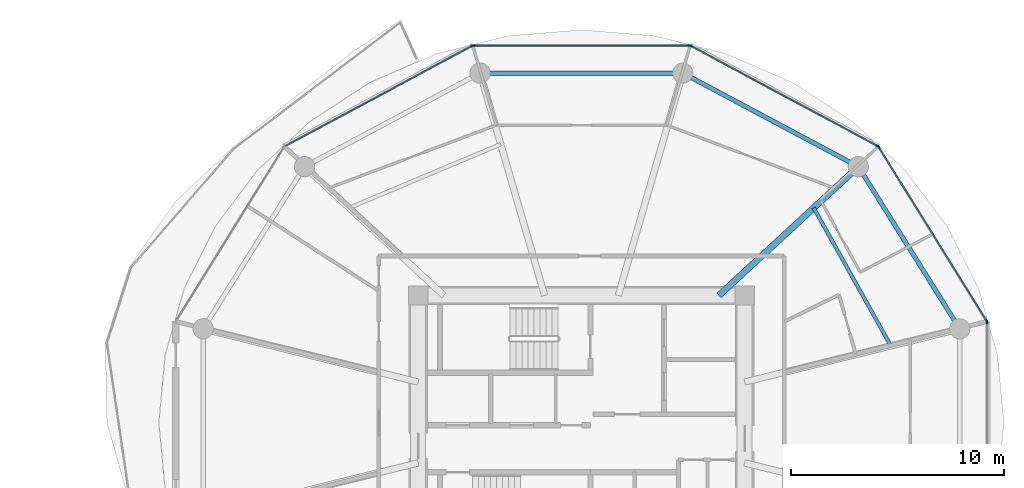
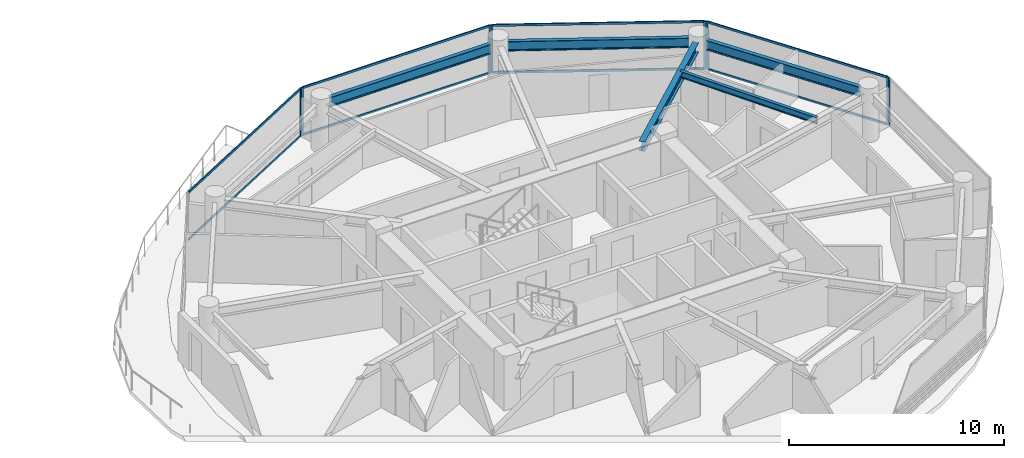
# One storey, part 13 of 26: 16 members, 5 beams, 5 elements without a shape of their own.
"""IFC4 building model written with IfcOpenShell, lengths in metres."""

import ifcopenshell
import ifcopenshell.guid

model = None  # the IFC model being written
_history = None  # IfcOwnerHistory: only IFC2X3 demands one
_inside = {}  # id of a spatial element -> (the spatial element, [elements in it])
_under = {}  # id of a project, library or spatial element -> (it, [spatial elements below it])
_declared = {}  # id of a project -> (the project, [libraries it declares])
_typed = {}  # id of a type object -> (the type object, [elements of that type])
_made_of = {}  # id of a material, layer set ... -> (it, [elements and type objects made of it])


def new_model(schema):
    """Start an empty IFC model of exactly this schema.

    Asked for "IFC4X3", IfcOpenShell would pick the latest addendum, in which some entities
    have other attributes; the version numbers below select the first issue.
    IFC2X3 requires an IfcOwnerHistory on every rooted entity: one is made here for all.
    """
    global model, _history
    if schema == "IFC4X3":
        model = ifcopenshell.file(schema_version=(4, 3, 0, 0))
    else:
        model = ifcopenshell.file(schema=schema)
    _inside.clear()
    _under.clear()
    _declared.clear()
    _typed.clear()
    _made_of.clear()
    _history = None
    if model.schema == "IFC2X3":
        org = make("IfcOrganization", Name="unknown")
        user = make(
            "IfcPersonAndOrganization",
            ThePerson=make("IfcPerson", FamilyName="unknown"),
            TheOrganization=org,
        )
        app = make(
            "IfcApplication",
            ApplicationDeveloper=org,
            Version="unknown",
            ApplicationFullName="unknown",
            ApplicationIdentifier="unknown",
        )
        _history = make(
            "IfcOwnerHistory",
            OwningUser=user,
            OwningApplication=app,
            ChangeAction="ADDED",
            CreationDate=0,
        )
    return model


def make(cls, **values):
    """One entity of the class cls with the attributes given. An attribute that is None is left unset."""
    return model.create_entity(
        cls, **{name: value for name, value in values.items() if value is not None}
    )


def rooted(cls, **values):
    """An entity with a GlobalId (a new one), such as an element, a storey or a relation."""
    return make(cls, GlobalId=ifcopenshell.guid.new(), OwnerHistory=_history, **values)


def si_unit(unit_type, name, prefix=None):
    """IfcSIUnit, for example si_unit("LENGTHUNIT", "METRE", prefix="MILLI")."""
    return make("IfcSIUnit", UnitType=unit_type, Prefix=prefix, Name=name)


def assignment(units):
    """IfcUnitAssignment: the units of a project."""
    return None if units is None else make("IfcUnitAssignment", Units=units)


def point(xyz):
    """IfcCartesianPoint."""
    return None if xyz is None else make("IfcCartesianPoint", Coordinates=xyz)


def direction(xyz):
    """IfcDirection."""
    return None if xyz is None else make("IfcDirection", DirectionRatios=xyz)


def frame(location, z_axis=None, x_axis=None):
    """IfcAxis2Placement3D, a coordinate frame: its origin and axes. An axis left out is left unset."""
    return make(
        "IfcAxis2Placement3D",
        Location=point(location),
        Axis=direction(z_axis),
        RefDirection=direction(x_axis),
    )


def frame_2d(location, x_axis=None):
    """IfcAxis2Placement2D, a coordinate frame in the plane: its origin and x axis."""
    return make(
        "IfcAxis2Placement2D", Location=point(location), RefDirection=direction(x_axis)
    )


def origin():
    """The frame at (0, 0, 0) with its axes left unset."""
    return frame((0.0, 0.0, 0.0))


def origin_2d():
    """The frame at (0, 0) in the plane with its x axis left unset."""
    return frame_2d((0.0, 0.0))


def place(relative_to, where):
    """IfcLocalPlacement: puts the frame where relative to a parent placement (None: the world)."""
    return make(
        "IfcLocalPlacement", PlacementRelTo=relative_to, RelativePlacement=where
    )


def context(
    kind, dimensions, precision=None, world=None, true_north=None, identifier=None
):
    """IfcGeometricRepresentationContext, for example the 3D "Model" context."""
    return make(
        "IfcGeometricRepresentationContext",
        ContextIdentifier=identifier,
        ContextType=kind,
        CoordinateSpaceDimension=dimensions,
        Precision=precision,
        WorldCoordinateSystem=world,
        TrueNorth=true_north,
    )


def subcontext(parent, identifier, kind, view, scale=None):
    """IfcGeometricRepresentationSubContext, for example "Body" below "Model"."""
    return make(
        "IfcGeometricRepresentationSubContext",
        ContextIdentifier=identifier,
        ContextType=kind,
        ParentContext=parent,
        TargetScale=scale,
        TargetView=view,
    )


def project(units=None, contexts=None):
    """IfcProject with its units and contexts."""
    return rooted(
        "IfcProject",
        Name="project",
        RepresentationContexts=contexts,
        UnitsInContext=assignment(units),
    )


def spatial(cls, under=None, at=None, **own):
    """A site, building, storey or space (cls), placed at a placement, below another one or the project."""
    s = rooted(cls, ObjectPlacement=at, **own)
    if under is not None:
        _under.setdefault(under.id(), (under, []))[1].append(s)
    return s


def profile(cls, at=None, kind="AREA", **sizes):
    """A parametric profile (cls). Its sizes go by their IFC names, for example OverallWidth=200.0."""
    return make(cls, ProfileType=kind, Position=at, **sizes)


def rectangle(**sizes):
    """IfcRectangleProfileDef."""
    return profile("IfcRectangleProfileDef", **sizes)


def i_section(**sizes):
    """IfcIShapeProfileDef."""
    return profile("IfcIShapeProfileDef", **sizes)


def extrude(swept, where, along, depth):
    """IfcExtrudedAreaSolid: the profile swept, set in the frame where, extruded along a direction by depth."""
    return make(
        "IfcExtrudedAreaSolid",
        SweptArea=swept,
        Position=where,
        ExtrudedDirection=direction(along),
        Depth=depth,
    )


def shape(context_of_items, identifier, shape_type, items):
    """IfcShapeRepresentation: the items that make up one representation, for example the "Body"."""
    return make(
        "IfcShapeRepresentation",
        ContextOfItems=context_of_items,
        RepresentationIdentifier=identifier,
        RepresentationType=shape_type,
        Items=items,
    )


def source(mapping_origin, context_of_items, identifier, shape_type, items):
    """IfcRepresentationMap: a shape defined once, which mapped items show again and again."""
    return make(
        "IfcRepresentationMap",
        MappingOrigin=mapping_origin,
        MappedRepresentation=shape(context_of_items, identifier, shape_type, items),
    )


def transform(
    local_origin,
    x_axis=None,
    y_axis=None,
    z_axis=None,
    scale=None,
    scale2=None,
    scale3=None,
    uniform=True,
):
    """IfcCartesianTransformationOperator3D, or its non-uniform kind. x_axis, y_axis, z_axis: its Axis1, 2, 3."""
    if uniform:
        return make(
            "IfcCartesianTransformationOperator3D",
            Axis1=direction(x_axis),
            Axis2=direction(y_axis),
            LocalOrigin=point(local_origin),
            Scale=scale,
            Axis3=direction(z_axis),
        )
    return make(
        "IfcCartesianTransformationOperator3DnonUniform",
        Axis1=direction(x_axis),
        Axis2=direction(y_axis),
        LocalOrigin=point(local_origin),
        Scale=scale,
        Axis3=direction(z_axis),
        Scale2=scale2,
        Scale3=scale3,
    )


def mapped(mapping_source, mapping_target):
    """IfcMappedItem: shows the shape of a source again, moved by a transform."""
    return make(
        "IfcMappedItem", MappingSource=mapping_source, MappingTarget=mapping_target
    )


def material(Name=None, Category=None):
    """IfcMaterial."""
    return make("IfcMaterial", Name=Name, Category=Category)


def layer(
    of_material, thickness, ventilated=None, Name=None, Category=None, Priority=None
):
    """IfcMaterialLayer: one layer of a wall or slab, of a material (None: an air gap)."""
    return make(
        "IfcMaterialLayer",
        Material=of_material,
        LayerThickness=thickness,
        IsVentilated=ventilated,
        Name=Name,
        Category=Category,
        Priority=Priority,
    )


def layer_set(layers, Name=None):
    """IfcMaterialLayerSet."""
    return make("IfcMaterialLayerSet", MaterialLayers=layers, LayerSetName=Name)


def material_profile(
    of_material, cross_section, Name=None, Category=None, Priority=None
):
    """IfcMaterialProfile: a cross section and its material."""
    return make(
        "IfcMaterialProfile",
        Name=Name,
        Material=of_material,
        Profile=cross_section,
        Priority=Priority,
        Category=Category,
    )


def profile_set(profiles, Name=None, composite=None):
    """IfcMaterialProfileSet."""
    return make(
        "IfcMaterialProfileSet",
        Name=Name,
        MaterialProfiles=profiles,
        CompositeProfile=composite,
    )


def made_of(thing, what):
    """Note that an element or type object is made of a material, layer set ...; save() writes the relation."""
    if what is not None:
        _made_of.setdefault(what.id(), (what, []))[1].append(thing)
    return thing


def type_object(cls, material=None, **own):
    """A type object (cls), such as IfcWallType, which elements share."""
    return made_of(rooted(cls, **own), material)


def type_shapes(of_type, sources):
    """Give a type object the sources (RepresentationMaps) that its elements show as mapped items."""
    of_type.RepresentationMaps = sources


def element(
    cls,
    number,
    at=None,
    inside=None,
    cuts=None,
    type_object=None,
    material=None,
    context=None,
    identifier="Body",
    shape_type=None,
    held_by="IfcProductDefinitionShape",
    body=None,
    shapes=None,
    **own,
):
    """One element of the class cls, such as IfcWall. Its Tag is "e" and its number.

    at: its placement. inside: the storey or other place that contains it. cuts: it is an
    opening in that element (IfcRelVoidsElement). A single representation is given by context,
    identifier, shape_type and body (its items); several are given by shapes. held_by: the class
    of the entity that holds the representations. save() writes the other relations.
    """
    e = rooted(cls, Tag="e%d" % number, ObjectPlacement=at, **own)
    if body is not None:
        shapes = [shape(context, identifier, shape_type, body)]
    if shapes is not None:
        e.Representation = make(held_by, Representations=shapes)
    if inside is not None:
        _inside.setdefault(inside.id(), (inside, []))[1].append(e)
    if cuts is not None:
        rooted(
            "IfcRelVoidsElement", RelatingBuildingElement=cuts, RelatedOpeningElement=e
        )
    if type_object is not None:
        _typed.setdefault(type_object.id(), (type_object, []))[1].append(e)
    return made_of(e, material)


def aggregate(whole, parts):
    """IfcRelAggregates: a whole, such as a stair, and the parts it consists of."""
    return rooted("IfcRelAggregates", RelatingObject=whole, RelatedObjects=parts)


def save(model, path):
    """Write the relations noted so far, then the file.

    IfcRelAggregates (storeys below a building ...), IfcRelContainedInSpatialStructure (elements
    in a storey), IfcRelDefinesByType, IfcRelAssociatesMaterial and IfcRelDeclares: one each for
    every whole, place, type object, material and project.
    """
    for whole, parts in _under.values():
        aggregate(whole, parts)
    for where, things in _inside.values():
        rooted(
            "IfcRelContainedInSpatialStructure",
            RelatedElements=things,
            RelatingStructure=where,
        )
    for kind, things in _typed.values():
        rooted("IfcRelDefinesByType", RelatedObjects=things, RelatingType=kind)
    for what, things in _made_of.values():
        rooted("IfcRelAssociatesMaterial", RelatedObjects=things, RelatingMaterial=what)
    for by, libraries in _declared.values():
        rooted("IfcRelDeclares", RelatingContext=by, RelatedDefinitions=libraries)
    model.write(path)


model = new_model("IFC4")

# Units and contexts
model_context = context("Model", 3, precision=1e-05, world=origin(), true_north=direction((0.0, 1.0)))
body_context = subcontext(model_context, "Body", "Model", "MODEL_VIEW")
ifc_project = project(units=[si_unit("LENGTHUNIT", "METRE"), si_unit("AREAUNIT", "SQUARE_METRE"), si_unit("VOLUMEUNIT", "CUBIC_METRE"), si_unit("PLANEANGLEUNIT", "RADIAN"), si_unit("MASSUNIT", "GRAM", prefix="KILO")], contexts=[model_context])

# Site, building, storey
site_placement = place(None, origin())
site = spatial("IfcSite", under=ifc_project, at=site_placement, CompositionType="ELEMENT")
building_placement = place(site_placement, origin())
building = spatial("IfcBuilding", under=site, at=building_placement, Name="Norrkilde Senior Care Towers", CompositionType="ELEMENT")
storey_placement = place(building_placement, frame((0.0, 0.0, 70.39990234375)))
storey = spatial("IfcBuildingStorey", under=building, at=storey_placement, Name="L21", CompositionType="ELEMENT", Elevation=70.39990234375)

# Beams
ifc_material_1 = material(Name="Steel S355", Category="steel")
ifc_material_profile_1 = material_profile(ifc_material_1, i_section(OverallWidth=0.2099609375, OverallDepth=0.550048828125, WebThickness=0.010986328125, FlangeThickness=0.01708984375, FilletRadius=0.02392578125, at=origin_2d()), Name="IPE 550")
ifc_profile_set_1 = profile_set([ifc_material_profile_1], Name="Steel S355")
beam_type_1 = type_object("IfcBeamType", Name="Perimeter Ring Spandrel Z1 IPE550", PredefinedType="SPANDREL", material=ifc_profile_set_1)
shared_shape_1 = source(origin(), body_context, "Body", "SweptSolid", [
    extrude(i_section(OverallWidth=0.2099609375, OverallDepth=0.550048828125, WebThickness=0.010986328125, FlangeThickness=0.01708984375, FilletRadius=0.02392578125, at=origin_2d()), origin(), (0.0, 0.0, 1.0), 8.090576171875),
])
beam_1_placement = place(storey_placement, frame((45.494140625, 4.755859375, 2.455078125), z_axis=(-0.530004364821, 0.84799491347, 0.0), x_axis=(-0.84799491347, -0.530004364821, 0.0)))
element("IfcBeam", 1, at=beam_1_placement, inside=storey, type_object=beam_type_1, Name="L21 Drum E Perimeter Spandrel 01", PredefinedType="SPANDREL", context=body_context, shape_type="MappedRepresentation", body=[
    mapped(shared_shape_1, transform((0.0, 0.0, 0.0), x_axis=(1.0, 0.0, 0.0), y_axis=(0.0, 1.0, 0.0), z_axis=(0.0, 0.0, 1.0), scale=1.0)),
])
shared_shape_2 = source(origin(), body_context, "Body", "SweptSolid", [
    extrude(i_section(OverallWidth=0.2099609375, OverallDepth=0.550048828125, WebThickness=0.010986328125, FlangeThickness=0.01708984375, FilletRadius=0.02392578125, at=origin_2d()), origin(), (0.0, 0.0, 1.0), 8.452880859375),
])
beam_2_placement = place(storey_placement, frame((40.591552734375, 12.190185546875, 2.455078125), z_axis=(-0.882368931134, 0.470558252898, 0.0), x_axis=(-0.470558252898, -0.882368931134, 0.0)))
element("IfcBeam", 2, at=beam_2_placement, inside=storey, type_object=beam_type_1, Name="L21 Drum E Perimeter Spandrel 02", PredefinedType="SPANDREL", context=body_context, shape_type="MappedRepresentation", body=[
    mapped(shared_shape_2, transform((0.0, 0.0, 0.0), x_axis=(1.0, 0.0, 0.0), y_axis=(0.0, 1.0, 0.0), z_axis=(0.0, 0.0, 1.0), scale=1.0)),
])
ifc_material_profile_2 = material_profile(ifc_material_1, i_section(OverallWidth=0.300048828125, OverallDepth=0.550048828125, WebThickness=0.014892578125, FlangeThickness=0.029052734375, FilletRadius=0.027099609375, at=origin_2d()), Name="HEB 550")
ifc_profile_set_2 = profile_set([ifc_material_profile_2], Name="Steel S355")
beam_type_2 = type_object("IfcBeamType", Name="Radial Floor Beam Z1 HEB550", PredefinedType="BEAM", material=ifc_profile_set_2)
shared_shape_3 = source(origin(), body_context, "Body", "SweptSolid", [
    extrude(i_section(OverallWidth=0.300048828125, OverallDepth=0.550048828125, WebThickness=0.014892578125, FlangeThickness=0.029052734375, FilletRadius=0.027099609375, at=origin_2d()), origin(), (0.0, 0.0, 1.0), 8.459716796875),
])
type_shapes(beam_type_2, [shared_shape_3])
beam_3_placement = place(storey_placement, frame((34.44140625, 5.949951171875, 2.455078125), z_axis=(0.734573269108, 0.678529374686, 0.0), x_axis=(-0.678529374686, 0.734573269108, 0.0)))
element("IfcBeam", 3, at=beam_3_placement, inside=storey, type_object=beam_type_2, Name="L21 Drum E Radial Floor Beam 02", PredefinedType="BEAM", context=body_context, shape_type="MappedRepresentation", body=[
    mapped(shared_shape_3, transform((0.0, 0.0, 0.0), x_axis=(1.0, 0.0, 0.0), y_axis=(0.0, 1.0, 0.0), z_axis=(0.0, 0.0, 1.0), scale=1.0)),
])
shared_shape_4 = source(origin(), body_context, "Body", "SweptSolid", [
    extrude(i_section(OverallWidth=0.2099609375, OverallDepth=0.550048828125, WebThickness=0.010986328125, FlangeThickness=0.01708984375, FilletRadius=0.02392578125, at=origin_2d()), origin(), (0.0, 0.0, 1.0), 8.62841796875),
])
type_shapes(beam_type_1, [shared_shape_1, shared_shape_2, shared_shape_4])
beam_4_placement = place(storey_placement, frame((32.314208984375, 16.37255859375, 2.455078125), z_axis=(-1.0, 0.0, 0.0), x_axis=(0.0, -1.0, 0.0)))
element("IfcBeam", 4, at=beam_4_placement, inside=storey, type_object=beam_type_1, Name="L21 Drum E Perimeter Spandrel 03", PredefinedType="SPANDREL", context=body_context, shape_type="MappedRepresentation", body=[
    mapped(shared_shape_4, transform((0.0, 0.0, 0.0), x_axis=(1.0, 0.0, 0.0), y_axis=(0.0, 1.0, 0.0), z_axis=(0.0, 0.0, 1.0), scale=1.0)),
])
ifc_material_profile_3 = material_profile(ifc_material_1, i_section(OverallWidth=0.169921875, OverallDepth=0.360107421875, WebThickness=0.008056640625, FlangeThickness=0.0126953125, FilletRadius=0.01806640625, at=origin_2d()), Name="IPE 360")
ifc_profile_set_3 = profile_set([ifc_material_profile_3], Name="Steel S355")
beam_type_3 = type_object("IfcBeamType", Name="Secondary Floor Joist IPE360", PredefinedType="JOIST", material=ifc_profile_set_3)
shared_shape_5 = source(origin(), body_context, "Body", "SweptSolid", [
    extrude(i_section(OverallWidth=0.169921875, OverallDepth=0.360107421875, WebThickness=0.008056640625, FlangeThickness=0.0126953125, FilletRadius=0.01806640625, at=origin_2d()), origin(), (0.0, 0.0, 1.0), 7.40771484375),
])
type_shapes(beam_type_3, [shared_shape_5])
beam_5_placement = place(storey_placement, frame((42.500732421875, 3.589111328125, 2.550048828125), z_axis=(-0.488167754092, 0.872749817453, 0.0), x_axis=(-0.872749817453, -0.488167754092, 0.0)))
element("IfcBeam", 5, at=beam_5_placement, inside=storey, type_object=beam_type_3, Name="L21 Drum E Secondary Floor Joist 1", PredefinedType="JOIST", context=body_context, shape_type="MappedRepresentation", body=[
    mapped(shared_shape_5, transform((0.0, 0.0, 0.0), x_axis=(1.0, 0.0, 0.0), y_axis=(0.0, 1.0, 0.0), z_axis=(0.0, 0.0, 1.0), scale=1.0)),
])

# Curtain wall, members
ifc_material_2 = material(Name="Triple Low-E Insulated Glazing", Category="glass")
ifc_layer = layer(ifc_material_2, 0.199951171875)
ifc_layer_set = layer_set([ifc_layer], Name="Triple Low-E Insulated Glazing")
curtain_wall_type = type_object("IfcCurtainWallType", Name="CW2 Zone 1 Memory Care Curtain Wall", PredefinedType="NOTDEFINED", material=ifc_layer_set)
curtain_wall_1_placement = place(storey_placement, origin())
curtain_wall_1 = element("IfcCurtainWall", 6, at=curtain_wall_1_placement, inside=storey, type_object=curtain_wall_type, Name="L21 Drum E Curtain Wall 00", PredefinedType="NOTDEFINED")
ifc_material_3 = material(Name="Anodised Aluminium", Category="aluminium")
ifc_material_profile_4 = material_profile(ifc_material_3, rectangle(XDim=0.06005859375, YDim=0.1201171875, at=origin_2d()), Name="ALU TRAN 60x120")
ifc_profile_set_4 = profile_set([ifc_material_profile_4], Name="Anodised Aluminium")
member_type_1 = type_object("IfcMemberType", Name="Curtain Wall Transom Typical 60x120", PredefinedType="USERDEFINED", material=ifc_profile_set_4)
shared_shape_6 = source(origin(), body_context, "Body", "SweptSolid", [
    extrude(rectangle(XDim=0.06005859375, YDim=0.1201171875, at=origin_2d()), origin(), (0.0, 0.0, 1.0), 9.5185546875),
])
member_1_placement = place(storey_placement, frame((41.9501953125, 12.87060546875, 0.030029296875), z_axis=(0.527901620669, -0.849305527413, 0.0), x_axis=(0.849305527413, 0.527901620669, 0.0)))
member_1 = element("IfcMember", 7, at=member_1_placement, type_object=member_type_1, Name="CW-2 transom 1.1", ObjectType="TRANSOM", PredefinedType="USERDEFINED", context=body_context, shape_type="MappedRepresentation", body=[
    mapped(shared_shape_6, transform((0.0, 0.0, 0.0), x_axis=(1.0, 0.0, 0.0), y_axis=(0.0, 1.0, 0.0), z_axis=(0.0, 0.0, 1.0), scale=1.0)),
])
member_2_placement = place(storey_placement, frame((41.9501953125, 12.87060546875, 2.7001953125), z_axis=(0.527901620669, -0.849305527413, 0.0), x_axis=(0.849305527413, 0.527901620669, 0.0)))
member_2 = element("IfcMember", 8, at=member_2_placement, type_object=member_type_1, Name="CW-2 transom 1.2", ObjectType="TRANSOM", PredefinedType="USERDEFINED", context=body_context, shape_type="MappedRepresentation", body=[
    mapped(shared_shape_6, transform((0.0, 0.0, 0.0), x_axis=(1.0, 0.0, 0.0), y_axis=(0.0, 1.0, 0.0), z_axis=(0.0, 0.0, 1.0), scale=1.0)),
])

curtain_wall_2_placement = place(storey_placement, origin())
curtain_wall_2 = element("IfcCurtainWall", 9, at=curtain_wall_2_placement, inside=storey, type_object=curtain_wall_type, Name="L21 Drum E Curtain Wall 01", PredefinedType="NOTDEFINED")
shared_shape_7 = source(origin(), body_context, "Body", "SweptSolid", [
    extrude(rectangle(XDim=0.06005859375, YDim=0.1201171875, at=origin_2d()), origin(), (0.0, 0.0, 1.0), 9.880859375),
])
member_3_placement = place(storey_placement, frame((33.15087890625, 17.62646484375, 0.030029296875), z_axis=(0.881267204043, -0.47261836092, 0.0), x_axis=(0.47261836092, 0.881267204043, 0.0)))
member_3 = element("IfcMember", 10, at=member_3_placement, type_object=member_type_1, Name="CW-2 transom 1.1", ObjectType="TRANSOM", PredefinedType="USERDEFINED", context=body_context, shape_type="MappedRepresentation", body=[
    mapped(shared_shape_7, transform((0.0, 0.0, 0.0), x_axis=(1.0, 0.0, 0.0), y_axis=(0.0, 1.0, 0.0), z_axis=(0.0, 0.0, 1.0), scale=1.0)),
])
member_4_placement = place(storey_placement, frame((33.15087890625, 17.62646484375, 2.7001953125), z_axis=(0.881267204043, -0.47261836092, 0.0), x_axis=(0.47261836092, 0.881267204043, 0.0)))
member_4 = element("IfcMember", 11, at=member_4_placement, type_object=member_type_1, Name="CW-2 transom 1.2", ObjectType="TRANSOM", PredefinedType="USERDEFINED", context=body_context, shape_type="MappedRepresentation", body=[
    mapped(shared_shape_7, transform((0.0, 0.0, 0.0), x_axis=(1.0, 0.0, 0.0), y_axis=(0.0, 1.0, 0.0), z_axis=(0.0, 0.0, 1.0), scale=1.0)),
])

curtain_wall_3_placement = place(storey_placement, origin())
curtain_wall_3 = element("IfcCurtainWall", 12, at=curtain_wall_3_placement, inside=storey, type_object=curtain_wall_type, Name="L21 Drum E Curtain Wall 03", PredefinedType="NOTDEFINED")
member_5_placement = place(storey_placement, frame((14.141357421875, 12.95654296875, 0.030029296875), z_axis=(0.881267204043, 0.47261836092, 0.0), x_axis=(-0.47261836092, 0.881267204043, 0.0)))
member_5 = element("IfcMember", 13, at=member_5_placement, type_object=member_type_1, Name="CW-2 transom 1.1", ObjectType="TRANSOM", PredefinedType="USERDEFINED", context=body_context, shape_type="MappedRepresentation", body=[
    mapped(shared_shape_7, transform((0.0, 0.0, 0.0), x_axis=(1.0, 0.0, 0.0), y_axis=(0.0, 1.0, 0.0), z_axis=(0.0, 0.0, 1.0), scale=1.0)),
])
member_6_placement = place(storey_placement, frame((14.141357421875, 12.95654296875, 2.7001953125), z_axis=(0.881267204043, 0.47261836092, 0.0), x_axis=(-0.47261836092, 0.881267204043, 0.0)))
member_6 = element("IfcMember", 14, at=member_6_placement, type_object=member_type_1, Name="CW-2 transom 1.2", ObjectType="TRANSOM", PredefinedType="USERDEFINED", context=body_context, shape_type="MappedRepresentation", body=[
    mapped(shared_shape_7, transform((0.0, 0.0, 0.0), x_axis=(1.0, 0.0, 0.0), y_axis=(0.0, 1.0, 0.0), z_axis=(0.0, 0.0, 1.0), scale=1.0)),
])

curtain_wall_4_placement = place(storey_placement, origin())
curtain_wall_4 = element("IfcCurtainWall", 15, at=curtain_wall_4_placement, inside=storey, type_object=curtain_wall_type, Name="L21 Drum E Curtain Wall 02", PredefinedType="NOTDEFINED")
shared_shape_8 = source(origin(), body_context, "Body", "SweptSolid", [
    extrude(rectangle(XDim=0.06005859375, YDim=0.1201171875, at=origin_2d()), origin(), (0.0, 0.0, 1.0), 10.05712890625),
])
type_shapes(member_type_1, [shared_shape_6, shared_shape_7, shared_shape_8])
member_7_placement = place(storey_placement, frame((22.971435546875, 17.6572265625, 0.030029296875), z_axis=(1.0, 0.0, 0.0), x_axis=(0.0, 1.0, 0.0)))
member_7 = element("IfcMember", 16, at=member_7_placement, type_object=member_type_1, Name="CW-2 transom 1.1", ObjectType="TRANSOM", PredefinedType="USERDEFINED", context=body_context, shape_type="MappedRepresentation", body=[
    mapped(shared_shape_8, transform((0.0, 0.0, 0.0), x_axis=(1.0, 0.0, 0.0), y_axis=(0.0, 1.0, 0.0), z_axis=(0.0, 0.0, 1.0), scale=1.0)),
])
member_8_placement = place(storey_placement, frame((22.971435546875, 17.6572265625, 2.7001953125), z_axis=(1.0, 0.0, 0.0), x_axis=(0.0, 1.0, 0.0)))
member_8 = element("IfcMember", 17, at=member_8_placement, type_object=member_type_1, Name="CW-2 transom 1.2", ObjectType="TRANSOM", PredefinedType="USERDEFINED", context=body_context, shape_type="MappedRepresentation", body=[
    mapped(shared_shape_8, transform((0.0, 0.0, 0.0), x_axis=(1.0, 0.0, 0.0), y_axis=(0.0, 1.0, 0.0), z_axis=(0.0, 0.0, 1.0), scale=1.0)),
])

# Member
ifc_material_profile_5 = material_profile(ifc_material_3, rectangle(XDim=0.06494140625, YDim=0.159912109375, at=origin_2d()), Name="ALU MULL 65x160")
ifc_profile_set_5 = profile_set([ifc_material_profile_5], Name="Anodised Aluminium")
member_type_2 = type_object("IfcMemberType", Name="Curtain Wall Mullion Z1-Z2 65x160", PredefinedType="MULLION", material=ifc_profile_set_5)
shared_shape_9 = source(origin(), body_context, "Body", "SweptSolid", [
    extrude(rectangle(XDim=0.06494140625, YDim=0.159912109375, at=origin_2d()), origin(), (0.0, 0.0, 1.0), 2.72998046875),
])
type_shapes(member_type_2, [shared_shape_9])
member_9_placement = place(storey_placement, frame((41.93310546875, 12.898193359375, 0.0), z_axis=(0.0, 0.0, 1.0), x_axis=(0.849305943117, 0.527900951871, 0.0)))
member_9 = element("IfcMember", 18, at=member_9_placement, type_object=member_type_2, Name="CW-2 mullion 1", PredefinedType="MULLION", context=body_context, shape_type="MappedRepresentation", body=[
    mapped(shared_shape_9, transform((0.0, 0.0, 0.0), x_axis=(1.0, 0.0, 0.0), y_axis=(0.0, 1.0, 0.0), z_axis=(0.0, 0.0, 1.0), scale=1.0)),
])

member_10_placement = place(storey_placement, frame((46.9921875, 4.7587890625, 0.0), z_axis=(0.0, 0.0, 1.0), x_axis=(0.849305943117, 0.527900951871, 0.0)))
member_10 = element("IfcMember", 19, at=member_10_placement, type_object=member_type_2, Name="CW-2 mullion 2", PredefinedType="MULLION", context=body_context, shape_type="MappedRepresentation", body=[
    mapped(shared_shape_9, transform((0.0, 0.0, 0.0), x_axis=(1.0, 0.0, 0.0), y_axis=(0.0, 1.0, 0.0), z_axis=(0.0, 0.0, 1.0), scale=1.0)),
])

aggregate(curtain_wall_1, [member_9, member_10, member_1, member_2])

member_11_placement = place(storey_placement, frame((33.122314453125, 17.641845703125, 0.0), z_axis=(0.0, 0.0, 1.0), x_axis=(0.472607802456, 0.881272866403, 0.0)))
member_11 = element("IfcMember", 20, at=member_11_placement, type_object=member_type_2, Name="CW-2 mullion 1", PredefinedType="MULLION", context=body_context, shape_type="MappedRepresentation", body=[
    mapped(shared_shape_9, transform((0.0, 0.0, 0.0), x_axis=(1.0, 0.0, 0.0), y_axis=(0.0, 1.0, 0.0), z_axis=(0.0, 0.0, 1.0), scale=1.0)),
])

member_12_placement = place(storey_placement, frame((41.88720703125, 12.941162109375, 0.0), z_axis=(0.0, 0.0, 1.0), x_axis=(0.472607802456, 0.881272866403, 0.0)))
member_12 = element("IfcMember", 21, at=member_12_placement, type_object=member_type_2, Name="CW-2 mullion 2", PredefinedType="MULLION", context=body_context, shape_type="MappedRepresentation", body=[
    mapped(shared_shape_9, transform((0.0, 0.0, 0.0), x_axis=(1.0, 0.0, 0.0), y_axis=(0.0, 1.0, 0.0), z_axis=(0.0, 0.0, 1.0), scale=1.0)),
])

aggregate(curtain_wall_2, [member_11, member_12, member_3, member_4])

member_13_placement = place(storey_placement, frame((22.93896484375, 17.6572265625, 0.0), z_axis=(0.0, 0.0, 1.0), x_axis=(0.0, 1.0, 0.0)))
member_13 = element("IfcMember", 22, at=member_13_placement, type_object=member_type_2, Name="CW-2 mullion 1", PredefinedType="MULLION", context=body_context, shape_type="MappedRepresentation", body=[
    mapped(shared_shape_9, transform((0.0, 0.0, 0.0), x_axis=(1.0, 0.0, 0.0), y_axis=(0.0, 1.0, 0.0), z_axis=(0.0, 0.0, 1.0), scale=1.0)),
])

member_14_placement = place(storey_placement, frame((33.06103515625, 17.6572265625, 0.0), z_axis=(0.0, 0.0, 1.0), x_axis=(0.0, 1.0, 0.0)))
member_14 = element("IfcMember", 23, at=member_14_placement, type_object=member_type_2, Name="CW-2 mullion 2", PredefinedType="MULLION", context=body_context, shape_type="MappedRepresentation", body=[
    mapped(shared_shape_9, transform((0.0, 0.0, 0.0), x_axis=(1.0, 0.0, 0.0), y_axis=(0.0, 1.0, 0.0), z_axis=(0.0, 0.0, 1.0), scale=1.0)),
])

aggregate(curtain_wall_4, [member_13, member_14, member_7, member_8])

member_15_placement = place(storey_placement, frame((22.877685546875, 17.641845703125, 0.0), z_axis=(0.0, 0.0, 1.0), x_axis=(-0.472607802456, 0.881272866403, 0.0)))
member_15 = element("IfcMember", 24, at=member_15_placement, type_object=member_type_2, Name="CW-2 mullion 2", PredefinedType="MULLION", context=body_context, shape_type="MappedRepresentation", body=[
    mapped(shared_shape_9, transform((0.0, 0.0, 0.0), x_axis=(1.0, 0.0, 0.0), y_axis=(0.0, 1.0, 0.0), z_axis=(0.0, 0.0, 1.0), scale=1.0)),
])

aggregate(curtain_wall_3, [member_15, member_5, member_6])

# Curtain wall, member
curtain_wall_5_placement = place(storey_placement, origin())
curtain_wall_5 = element("IfcCurtainWall", 25, at=curtain_wall_5_placement, inside=storey, type_object=curtain_wall_type, Name="L21 Drum E Curtain Wall 11", PredefinedType="NOTDEFINED")
member_16_placement = place(storey_placement, frame((47.009521484375, 4.69873046875, 0.0), z_axis=(0.0, 0.0, 1.0), x_axis=(1.0, 0.0, 0.0)))
member_16 = element("IfcMember", 26, at=member_16_placement, type_object=member_type_2, Name="CW-2 mullion 1", PredefinedType="MULLION", context=body_context, shape_type="MappedRepresentation", body=[
    mapped(shared_shape_9, transform((0.0, 0.0, 0.0), x_axis=(1.0, 0.0, 0.0), y_axis=(0.0, 1.0, 0.0), z_axis=(0.0, 0.0, 1.0), scale=1.0)),
])
aggregate(curtain_wall_5, [member_16])

save(model, "model.ifc")
